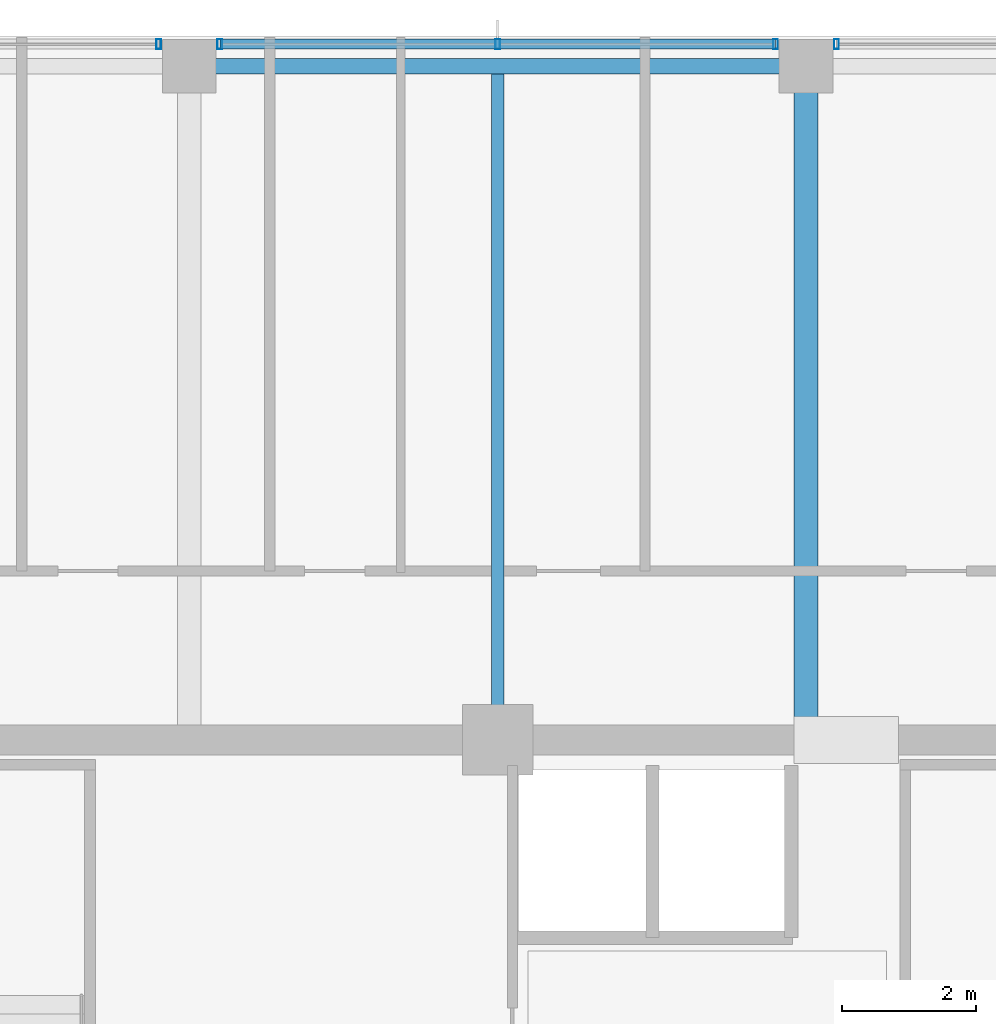
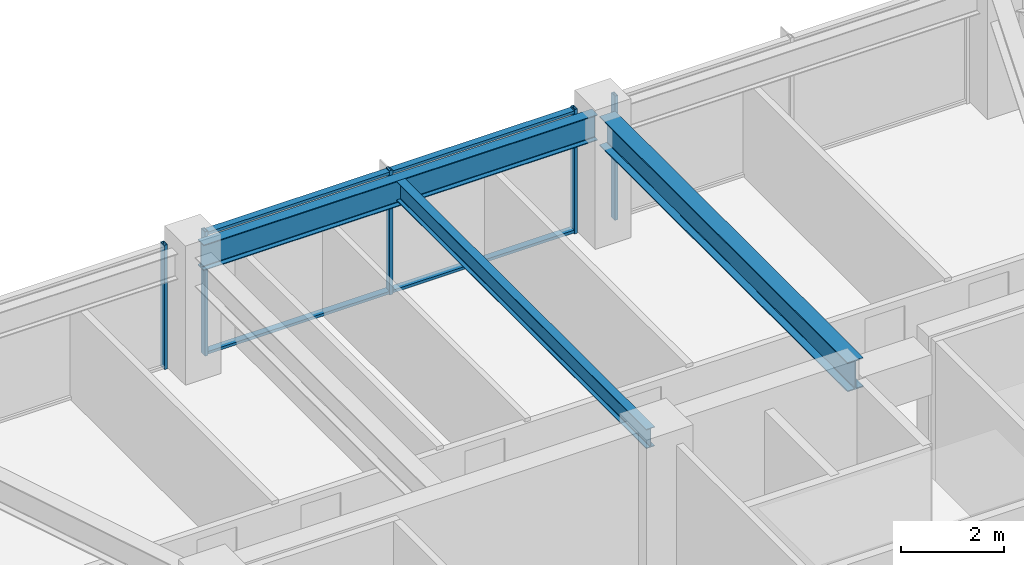
# One storey, part 18 of 34: 7 members, 3 beams, 3 elements without a shape of their own.
"""IFC4 building model written with IfcOpenShell, lengths in metres."""

from ifc_helpers import new_model, si_unit, direction, frame, origin, origin_2d, place, context, subcontext, project, spatial, hollow_rectangle, i_section, extrude, material, material_profile, profile_set, type_object, element, aggregate, save


model = new_model("IFC4")

# Units and contexts
model_context = context("Model", 3, precision=1e-05, world=origin(), true_north=direction((0.0, 1.0)))
body_context = subcontext(model_context, "Body", "Model", "MODEL_VIEW")
ifc_project = project(units=[si_unit("LENGTHUNIT", "METRE"), si_unit("AREAUNIT", "SQUARE_METRE"), si_unit("VOLUMEUNIT", "CUBIC_METRE"), si_unit("PLANEANGLEUNIT", "RADIAN"), si_unit("MASSUNIT", "GRAM", prefix="KILO")], contexts=[model_context])

# Site, building, storey
site_placement = place(None, origin())
site = spatial("IfcSite", under=ifc_project, at=site_placement, CompositionType="ELEMENT")
building_placement = place(site_placement, origin())
building = spatial("IfcBuilding", under=site, at=building_placement, Name="Kolvaren Belvedere", CompositionType="ELEMENT")
storey_placement = place(building_placement, frame((0.0, 0.0, 229.5)))
storey = spatial("IfcBuildingStorey", under=building, at=storey_placement, Name="L67", CompositionType="ELEMENT", Elevation=229.5)

# Beams
ifc_material_1 = material(Name="Structural steel ASTM A992 Grade 50", Category="steel")
ifc_material_profile_1 = material_profile(ifc_material_1, i_section(OverallWidth=0.35498046875, OverallDepth=0.696044921875, WebThickness=0.015380859375, FlangeThickness=0.02490234375, FilletRadius=0.02197265625, at=origin_2d()), Name="W27X146")
ifc_profile_set_1 = profile_set([ifc_material_profile_1], Name="Structural steel ASTM A992 Grade 50")
beam_type_1 = type_object("IfcBeamType", Name="BM-GIRD-W27X146", PredefinedType="BEAM", material=ifc_profile_set_1)
beam_1_placement = place(storey_placement, frame((4.60009765625, 10.125, 2.60205078125), z_axis=(0.0, 1.0, 0.0), x_axis=(-1.0, 0.0, 0.0)))
element("IfcBeam", 1, at=beam_1_placement, inside=storey, type_object=beam_type_1, Name="L67 North Radial Girder P", PredefinedType="BEAM", context=body_context, shape_type="SweptSolid", body=[
    extrude(i_section(OverallWidth=0.35498046875, OverallDepth=0.696044921875, WebThickness=0.015380859375, FlangeThickness=0.02490234375, FilletRadius=0.02197265625, at=origin_2d()), origin(), (0.0, 0.0, 1.0), 9.64501953125),
])
ifc_material_2 = material(Name="Structural steel ASTM A992 Grade 50", Category="steel")
ifc_material_profile_2 = material_profile(ifc_material_2, i_section(OverallWidth=0.19091796875, OverallDepth=0.4599609375, WebThickness=0.010009765625, FlangeThickness=0.01611328125, FilletRadius=0.014892578125, at=origin_2d()), Name="W18X55")
ifc_profile_set_2 = profile_set([ifc_material_profile_2], Name="Structural steel ASTM A992 Grade 50")
beam_type_2 = type_object("IfcBeamType", Name="BM-JOIST-W18X55", PredefinedType="BEAM", material=ifc_profile_set_2)
beam_2_placement = place(storey_placement, frame((0.0, 10.125, 2.719970703125), z_axis=(0.0, 1.0, 0.0), x_axis=(-1.0, 0.0, 0.0)))
element("IfcBeam", 2, at=beam_2_placement, inside=storey, type_object=beam_type_2, Name="L67 North Centre Floor Beam", PredefinedType="BEAM", context=body_context, shape_type="SweptSolid", body=[
    extrude(i_section(OverallWidth=0.19091796875, OverallDepth=0.4599609375, WebThickness=0.010009765625, FlangeThickness=0.01611328125, FilletRadius=0.014892578125, at=origin_2d()), origin(), (0.0, 0.0, 1.0), 9.71044921875),
])
ifc_material_3 = material(Name="Structural steel ASTM A992 Grade 50", Category="steel")
ifc_material_profile_3 = material_profile(ifc_material_3, i_section(OverallWidth=0.22900390625, OverallDepth=0.612060546875, WebThickness=0.011962890625, FlangeThickness=0.01953125, FilletRadius=0.01806640625, at=origin_2d()), Name="W24X84")
ifc_profile_set_3 = profile_set([ifc_material_profile_3], Name="Structural steel ASTM A992 Grade 50")
beam_type_3 = type_object("IfcBeamType", Name="BM-SPAN-W24X84", PredefinedType="SPANDREL", material=ifc_profile_set_3)
beam_3_placement = place(storey_placement, frame((4.419921875, 19.949951171875, 2.64404296875), z_axis=(-1.0, 0.0, 0.0), x_axis=(0.0, -1.0, 0.0)))
element("IfcBeam", 3, at=beam_3_placement, inside=storey, type_object=beam_type_3, Name="L67 Perimeter Spandrel N3-N2", PredefinedType="SPANDREL", context=body_context, shape_type="SweptSolid", body=[
    extrude(i_section(OverallWidth=0.22900390625, OverallDepth=0.612060546875, WebThickness=0.011962890625, FlangeThickness=0.01953125, FilletRadius=0.01806640625, at=origin_2d()), origin(), (0.0, 0.0, 1.0), 8.83984375),
])

# Curtain wall, member
ifc_material_4 = material(Name="Anodised pale-metal aluminium AA 6063-T6", Category="aluminium")
curtain_wall_type = type_object("IfcCurtainWallType", Name="CW-Z5-HIGH", PredefinedType="NOTDEFINED", material=ifc_material_4)
curtain_wall_1_placement = place(storey_placement, origin())
curtain_wall_1 = element("IfcCurtainWall", 4, at=curtain_wall_1_placement, inside=storey, type_object=curtain_wall_type, Name="L67 Unitised Curtain Wall FCW-L67-N-B1", PredefinedType="NOTDEFINED")
ifc_material_5 = material(Name="Anodised pale-metal aluminium AA 6063-T6", Category="aluminium")
ifc_material_profile_4 = material_profile(ifc_material_5, hollow_rectangle(XDim=0.070068359375, YDim=0.14990234375, WallThickness=0.004150390625, at=origin_2d()), Name="ALU-MUL-150X70")
ifc_profile_set_4 = profile_set([ifc_material_profile_4], Name="Anodised pale-metal aluminium AA 6063-T6")
member_type_1 = type_object("IfcMemberType", Name="CW-MUL-150", PredefinedType="MULLION", material=ifc_profile_set_4)
member_1_placement = place(storey_placement, frame((-5.054931640625, 20.280029296875, 0.0), z_axis=(0.0, 0.0, 1.0), x_axis=(1.0, 0.0, 0.0)))
member_1 = element("IfcMember", 5, at=member_1_placement, type_object=member_type_1, Name="FCW-L67-N-B1 Unitised Mullion 3", PredefinedType="MULLION", context=body_context, shape_type="SweptSolid", body=[
    extrude(hollow_rectangle(XDim=0.070068359375, YDim=0.14990234375, WallThickness=0.004150390625, at=origin_2d()), origin(), (0.0, 0.0, 1.0), 2.949951171875),
])
aggregate(curtain_wall_1, [member_1])

# Curtain wall, members
curtain_wall_2_placement = place(storey_placement, origin())
curtain_wall_2 = element("IfcCurtainWall", 6, at=curtain_wall_2_placement, inside=storey, type_object=curtain_wall_type, Name="L67 Unitised Curtain Wall FCW-L67-N-B2", PredefinedType="NOTDEFINED")
member_2_placement = place(storey_placement, frame((-4.14501953125, 20.280029296875, 0.0), z_axis=(0.0, 0.0, 1.0), x_axis=(1.0, 0.0, 0.0)))
member_2 = element("IfcMember", 7, at=member_2_placement, type_object=member_type_1, Name="FCW-L67-N-B2 Unitised Mullion 1", PredefinedType="MULLION", context=body_context, shape_type="SweptSolid", body=[
    extrude(hollow_rectangle(XDim=0.070068359375, YDim=0.14990234375, WallThickness=0.004150390625, at=origin_2d()), origin(), (0.0, 0.0, 1.0), 2.949951171875),
])
member_3_placement = place(storey_placement, frame((0.0, 20.280029296875, 0.0), z_axis=(0.0, 0.0, 1.0), x_axis=(1.0, 0.0, 0.0)))
member_3 = element("IfcMember", 8, at=member_3_placement, type_object=member_type_1, Name="FCW-L67-N-B2 Unitised Mullion 2", PredefinedType="MULLION", context=body_context, shape_type="SweptSolid", body=[
    extrude(hollow_rectangle(XDim=0.070068359375, YDim=0.14990234375, WallThickness=0.004150390625, at=origin_2d()), origin(), (0.0, 0.0, 1.0), 2.949951171875),
])
member_4_placement = place(storey_placement, frame((4.14501953125, 20.280029296875, 0.0), z_axis=(0.0, 0.0, 1.0), x_axis=(1.0, 0.0, 0.0)))
member_4 = element("IfcMember", 9, at=member_4_placement, type_object=member_type_1, Name="FCW-L67-N-B2 Unitised Mullion 3", PredefinedType="MULLION", context=body_context, shape_type="SweptSolid", body=[
    extrude(hollow_rectangle(XDim=0.070068359375, YDim=0.14990234375, WallThickness=0.004150390625, at=origin_2d()), origin(), (0.0, 0.0, 1.0), 2.949951171875),
])

# Curtain wall, member
curtain_wall_3_placement = place(storey_placement, origin())
curtain_wall_3 = element("IfcCurtainWall", 10, at=curtain_wall_3_placement, inside=storey, type_object=curtain_wall_type, Name="L67 Unitised Curtain Wall FCW-L67-N-B3", PredefinedType="NOTDEFINED")
member_5_placement = place(storey_placement, frame((5.054931640625, 20.280029296875, 0.0), z_axis=(0.0, 0.0, 1.0), x_axis=(1.0, 0.0, 0.0)))
member_5 = element("IfcMember", 11, at=member_5_placement, type_object=member_type_1, Name="FCW-L67-N-B3 Unitised Mullion 1", PredefinedType="MULLION", context=body_context, shape_type="SweptSolid", body=[
    extrude(hollow_rectangle(XDim=0.070068359375, YDim=0.14990234375, WallThickness=0.004150390625, at=origin_2d()), origin(), (0.0, 0.0, 1.0), 2.949951171875),
])
aggregate(curtain_wall_3, [member_5])

# Member
ifc_material_6 = material(Name="Anodised pale-metal aluminium AA 6063-T6", Category="aluminium")
ifc_material_profile_5 = material_profile(ifc_material_6, hollow_rectangle(XDim=0.06494140625, YDim=0.14990234375, WallThickness=0.00390625, at=origin_2d()), Name="ALU-TRN-150X65")
ifc_profile_set_5 = profile_set([ifc_material_profile_5], Name="Anodised pale-metal aluminium AA 6063-T6")
member_type_2 = type_object("IfcMemberType", Name="CW-TRN-150", PredefinedType="USERDEFINED", material=ifc_profile_set_5)
member_6_placement = place(storey_placement, frame((-4.14501953125, 20.280029296875, 0.06005859375), z_axis=(1.0, 0.0, 0.0), x_axis=(0.0, 0.0, 1.0)))
member_6 = element("IfcMember", 12, at=member_6_placement, type_object=member_type_2, Name="FCW-L67-N-B2 Sill Transom", ObjectType="TRANSOM", PredefinedType="USERDEFINED", context=body_context, shape_type="SweptSolid", body=[
    extrude(hollow_rectangle(XDim=0.06494140625, YDim=0.14990234375, WallThickness=0.00390625, at=origin_2d()), origin(), (0.0, 0.0, 1.0), 8.2900390625),
])

member_7_placement = place(storey_placement, frame((-4.14501953125, 20.280029296875, 2.889892578125), z_axis=(1.0, 0.0, 0.0), x_axis=(0.0, 0.0, 1.0)))
member_7 = element("IfcMember", 13, at=member_7_placement, type_object=member_type_2, Name="FCW-L67-N-B2 Head Transom", ObjectType="TRANSOM", PredefinedType="USERDEFINED", context=body_context, shape_type="SweptSolid", body=[
    extrude(hollow_rectangle(XDim=0.06494140625, YDim=0.14990234375, WallThickness=0.00390625, at=origin_2d()), origin(), (0.0, 0.0, 1.0), 8.2900390625),
])

aggregate(curtain_wall_2, [member_2, member_3, member_4, member_6, member_7])

save(model, "model.ifc")
